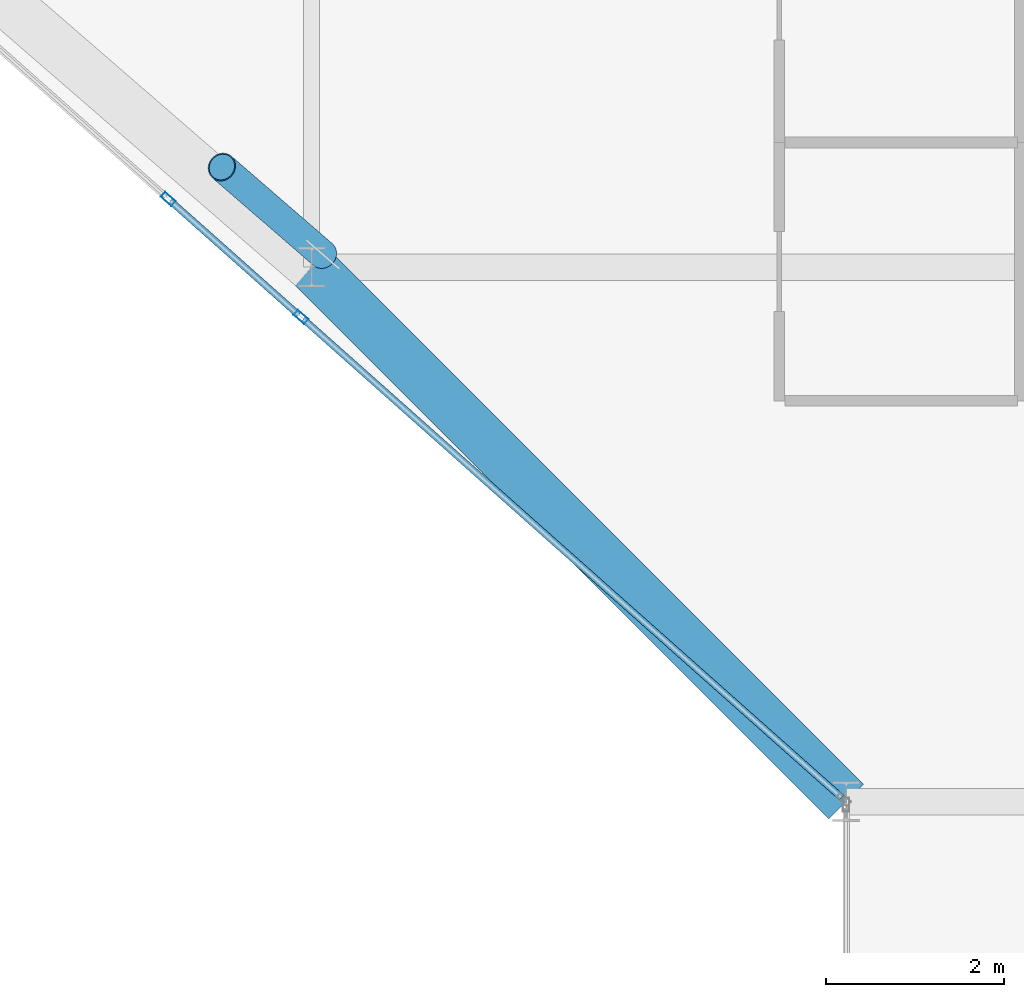
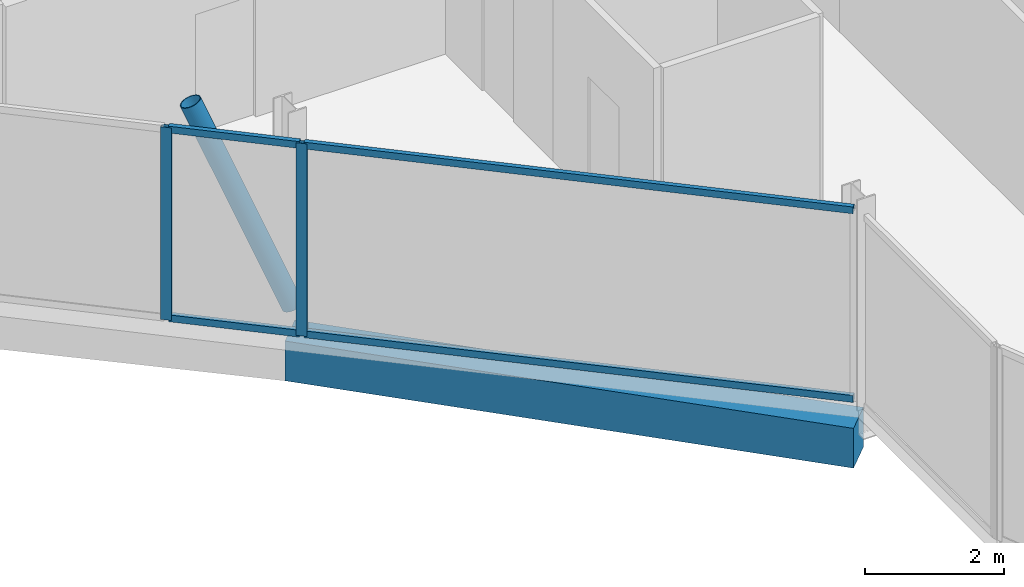
# One storey, part 4 of 29: 7 members, 1 beam, 2 elements without a shape of their own.
"""IFC4 building model written with IfcOpenShell, lengths in metres."""

from ifc_helpers import new_model, si_unit, direction, frame, origin, origin_2d, place, context, subcontext, project, spatial, rectangle, hollow_rectangle, hollow_circle, extrude, material, layer, layer_set, material_profile, profile_set, type_object, element, aggregate, save


model = new_model("IFC4")

# Units and contexts
model_context = context("Model", 3, precision=1e-05, world=origin(), true_north=direction((0.0, 1.0)))
body_context = subcontext(model_context, "Body", "Model", "MODEL_VIEW")
ifc_project = project(units=[si_unit("LENGTHUNIT", "METRE"), si_unit("AREAUNIT", "SQUARE_METRE"), si_unit("VOLUMEUNIT", "CUBIC_METRE"), si_unit("PLANEANGLEUNIT", "RADIAN"), si_unit("MASSUNIT", "GRAM", prefix="KILO")], contexts=[model_context])

# Site, building, storey
site_placement = place(None, origin())
site = spatial("IfcSite", under=ifc_project, at=site_placement, CompositionType="ELEMENT")
building_placement = place(site_placement, origin())
building = spatial("IfcBuilding", under=site, at=building_placement, Name="Keshet Zoharim Tower", CompositionType="ELEMENT")
storey_placement = place(building_placement, frame((0.0, 0.0, 169.10009765625)))
storey = spatial("IfcBuildingStorey", under=building, at=storey_placement, Name="L41", CompositionType="ELEMENT", Elevation=169.10009765625)

# Beam
ifc_material_1 = material(Name="Concrete C50/60", Category="concrete")
ifc_material_profile_1 = material_profile(ifc_material_1, rectangle(XDim=0.550048828125, YDim=0.699951171875, at=origin_2d()), Name="RC700x550")
ifc_profile_set_1 = profile_set([ifc_material_profile_1], Name="Concrete C50/60")
beam_type = type_object("IfcBeamType", Name="BM-SPN-700", PredefinedType="SPANDREL", material=ifc_profile_set_1)
beam_placement = place(storey_placement, frame((21.0, 6.699951171875, -0.66015625), z_axis=(-0.707106781187, 0.707106781187, 0.0), x_axis=(-0.707106781187, -0.707106781187, 0.0)))
element("IfcBeam", 1, at=beam_placement, inside=storey, type_object=beam_type, Name="L41 Perimeter Spandrel Beam 01", PredefinedType="SPANDREL", context=body_context, shape_type="SweptSolid", body=[
    extrude(rectangle(XDim=0.550048828125, YDim=0.699951171875, at=origin_2d()), origin(), (0.0, 0.0, 1.0), 8.4853515625),
])

# Curtain wall, member
ifc_material_2 = material(Name="Aluminium 6063-T6", Category="aluminium")
ifc_layer = layer(ifc_material_2, 0.139892578125)
ifc_layer_set = layer_set([ifc_layer], Name="Aluminium 6063-T6")
curtain_wall_type = type_object("IfcCurtainWallType", Name="CW-SYS-05", PredefinedType="NOTDEFINED", material=ifc_layer_set)
curtain_wall_1_placement = place(storey_placement, origin())
curtain_wall_1 = element("IfcCurtainWall", 2, at=curtain_wall_1_placement, inside=storey, type_object=curtain_wall_type, Name="L41 Unitised Curtain Wall 10", PredefinedType="NOTDEFINED")
ifc_material_profile_2 = material_profile(ifc_material_2, hollow_rectangle(XDim=0.074951171875, YDim=0.159912109375, WallThickness=0.00390625, at=origin_2d()), Name="MUL-75x160")
ifc_profile_set_2 = profile_set([ifc_material_profile_2], Name="Aluminium 6063-T6")
member_type_1 = type_object("IfcMemberType", Name="CWM-M15", PredefinedType="MULLION", material=ifc_profile_set_2)
member_1_placement = place(storey_placement, frame((14.88037109375, 12.1396484375, 0.0), z_axis=(0.0, 0.0, 1.0), x_axis=(-0.664367613066, -0.74740596379, 0.0)))
member_1 = element("IfcMember", 3, at=member_1_placement, type_object=member_type_1, Name="CW-05 mullion 2", PredefinedType="MULLION", context=body_context, shape_type="SweptSolid", body=[
    extrude(hollow_rectangle(XDim=0.074951171875, YDim=0.159912109375, WallThickness=0.00390625, at=origin_2d()), origin(), (0.0, 0.0, 1.0), 3.389892578125),
])

curtain_wall_2_placement = place(storey_placement, origin())
curtain_wall_2 = element("IfcCurtainWall", 4, at=curtain_wall_2_placement, inside=storey, type_object=curtain_wall_type, Name="L41 Unitised Curtain Wall 10 Part 2", PredefinedType="NOTDEFINED")
member_2_placement = place(storey_placement, frame((13.388427734375, 13.4658203125, 0.0), z_axis=(0.0, 0.0, 1.0), x_axis=(-0.664329634314, -0.747439721297, 0.0)))
member_2 = element("IfcMember", 5, at=member_2_placement, type_object=member_type_1, Name="CW-05 mullion 2", PredefinedType="MULLION", context=body_context, shape_type="SweptSolid", body=[
    extrude(hollow_rectangle(XDim=0.074951171875, YDim=0.159912109375, WallThickness=0.00390625, at=origin_2d()), origin(), (0.0, 0.0, 1.0), 3.389892578125),
])

# Member
ifc_material_profile_3 = material_profile(ifc_material_2, hollow_rectangle(XDim=0.074951171875, YDim=0.1201171875, WallThickness=0.00390625, at=origin_2d()), Name="TRN-75x120")
ifc_profile_set_3 = profile_set([ifc_material_profile_3], Name="Aluminium 6063-T6")
member_type_2 = type_object("IfcMemberType", Name="CWT-T12", PredefinedType="USERDEFINED", material=ifc_profile_set_3)
member_3_placement = place(storey_placement, frame((20.94775390625, 6.74658203125, 0.034912109375), z_axis=(-0.747404319135, 0.664369463279, 0.0), x_axis=(-0.664369463279, -0.747404319135, 0.0)))
member_3 = element("IfcMember", 6, at=member_3_placement, type_object=member_type_2, Name="CW-05 transom 1.1", ObjectType="TRANSOM", PredefinedType="USERDEFINED", context=body_context, shape_type="SweptSolid", body=[
    extrude(hollow_rectangle(XDim=0.074951171875, YDim=0.1201171875, WallThickness=0.00390625, at=origin_2d()), origin(), (0.0, 0.0, 1.0), 8.082763671875),
])

member_4_placement = place(storey_placement, frame((20.94775390625, 6.74658203125, 3.35498046875), z_axis=(-0.747404319135, 0.664369463279, 0.0), x_axis=(-0.664369463279, -0.747404319135, 0.0)))
member_4 = element("IfcMember", 7, at=member_4_placement, type_object=member_type_2, Name="CW-05 transom 1.2", ObjectType="TRANSOM", PredefinedType="USERDEFINED", context=body_context, shape_type="SweptSolid", body=[
    extrude(hollow_rectangle(XDim=0.074951171875, YDim=0.1201171875, WallThickness=0.00390625, at=origin_2d()), origin(), (0.0, 0.0, 1.0), 8.082763671875),
])

aggregate(curtain_wall_1, [member_1, member_3, member_4])

member_5_placement = place(storey_placement, frame((14.854248046875, 12.162841796875, 0.034912109375), z_axis=(-0.747458269264, 0.664308765341, 0.0), x_axis=(-0.664308765341, -0.747458269264, 0.0)))
member_5 = element("IfcMember", 8, at=member_5_placement, type_object=member_type_2, Name="CW-05 transom 1.1", ObjectType="TRANSOM", PredefinedType="USERDEFINED", context=body_context, shape_type="SweptSolid", body=[
    extrude(hollow_rectangle(XDim=0.074951171875, YDim=0.1201171875, WallThickness=0.00390625, at=origin_2d()), origin(), (0.0, 0.0, 1.0), 1.926025390625),
])

member_6_placement = place(storey_placement, frame((14.854248046875, 12.162841796875, 3.35498046875), z_axis=(-0.747458269264, 0.664308765341, 0.0), x_axis=(-0.664308765341, -0.747458269264, 0.0)))
member_6 = element("IfcMember", 9, at=member_6_placement, type_object=member_type_2, Name="CW-05 transom 1.2", ObjectType="TRANSOM", PredefinedType="USERDEFINED", context=body_context, shape_type="SweptSolid", body=[
    extrude(hollow_rectangle(XDim=0.074951171875, YDim=0.1201171875, WallThickness=0.00390625, at=origin_2d()), origin(), (0.0, 0.0, 1.0), 1.926025390625),
])

aggregate(curtain_wall_2, [member_2, member_5, member_6])

ifc_material_3 = material(Name="Steel S355", Category="steel")
ifc_material_profile_4 = material_profile(ifc_material_3, hollow_circle(Radius=0.161865234375, WallThickness=0.012451171875, at=origin_2d()), Name="CHS323x12.5")
ifc_profile_set_4 = profile_set([ifc_material_profile_4], Name="Steel S355")
member_type_3 = type_object("IfcMemberType", Name="MB-BR-C323", PredefinedType="BRACE", material=ifc_profile_set_4)
member_7_placement = place(storey_placement, frame((15.1259765625, 12.842041015625, 0.0), z_axis=(-0.305919508672, 0.264888754334, 0.914465528077), x_axis=(-0.654589683411, -0.755984355904, 0.0)))
element("IfcMember", 10, at=member_7_placement, inside=storey, type_object=member_type_3, Name="L41 Perimeter Tube Brace 01", PredefinedType="BRACE", context=body_context, shape_type="SweptSolid", body=[
    extrude(hollow_circle(Radius=0.161865234375, WallThickness=0.012451171875, at=origin_2d()), origin(), (0.0, 0.0, 1.0), 3.70703125),
])

save(model, "model.ifc")
